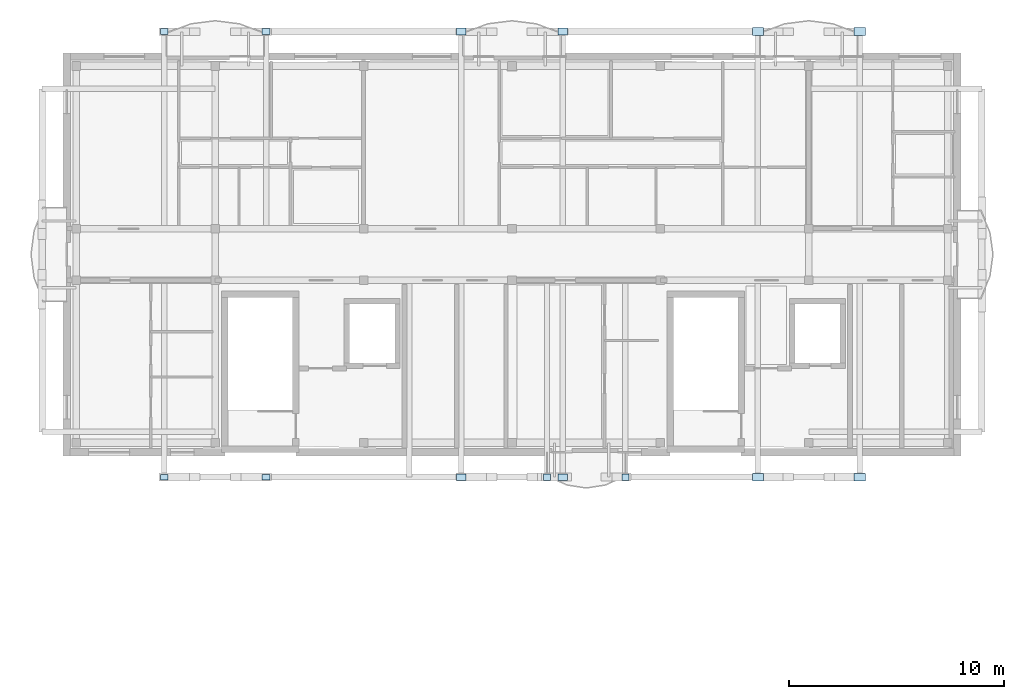
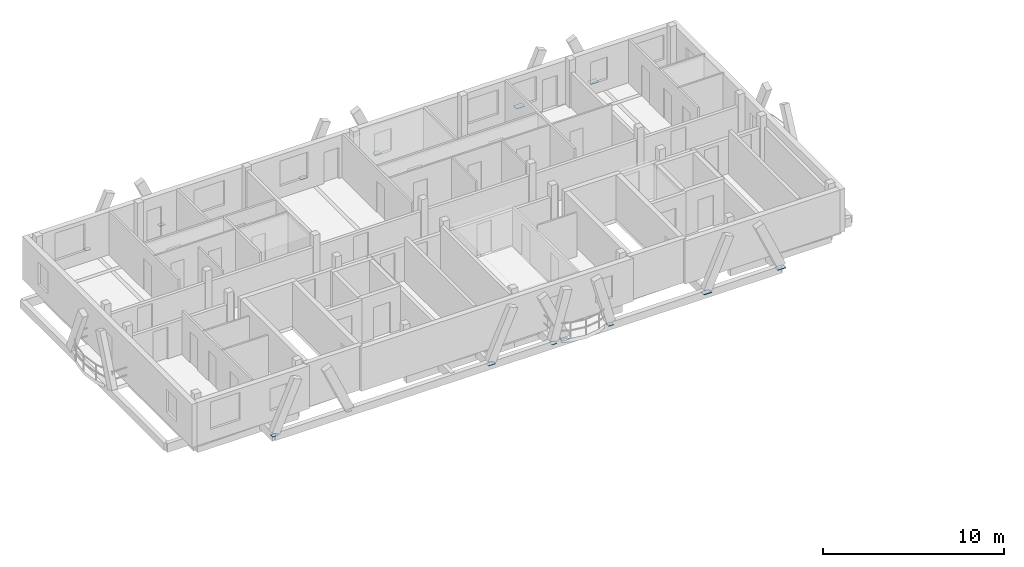
# One storey, part 5 of 18: 14 plates.
"""IFC4 building model written with IfcOpenShell, lengths in metres."""

from ifc_helpers import new_model, si_unit, direction, frame, origin, origin_2d, place, context, subcontext, project, spatial, rectangle, extrude, material, layer, layer_set, type_object, element, save


model = new_model("IFC4")

# Units and contexts
model_context = context("Model", 3, precision=1e-05, world=origin(), true_north=direction((0.0, 1.0)))
body_context = subcontext(model_context, "Body", "Model", "MODEL_VIEW")
ifc_project = project(units=[si_unit("LENGTHUNIT", "METRE"), si_unit("AREAUNIT", "SQUARE_METRE"), si_unit("VOLUMEUNIT", "CUBIC_METRE"), si_unit("PLANEANGLEUNIT", "RADIAN"), si_unit("MASSUNIT", "GRAM", prefix="KILO")], contexts=[model_context])

# Site, building, storey
site_placement = place(None, origin())
site = spatial("IfcSite", under=ifc_project, at=site_placement, CompositionType="ELEMENT")
building_placement = place(site_placement, origin())
building = spatial("IfcBuilding", under=site, at=building_placement, Name="Zavelmont Quarter", CompositionType="ELEMENT")
storey_placement = place(building_placement, frame((0.0, 0.0, 40.0)))
storey = spatial("IfcBuildingStorey", under=building, at=storey_placement, Name="L12", CompositionType="ELEMENT", Elevation=40.0)

# Plates
ifc_material = material(Name="Steel S355", Category="steel")
ifc_layer_1 = layer(ifc_material, 0.02392578125)
ifc_layer_set_1 = layer_set([ifc_layer_1], Name="Steel S355")
plate_type_1 = type_object("IfcPlateType", Name="NP02", PredefinedType="SHEET", material=ifc_layer_set_1)
for number, where, z_axis, x_axis, name in (
    (1, (4.53369140625, 117.162109375, -0.2119140625), (0.0, 0.0, 1.0), (1.0, 0.0, 0.0), "L12 steel connection plate NP02 at 2/S"),
    (2, (9.266357421875, 117.162109375, -0.2119140625), (0.0, 0.0, 1.0), (1.0, 0.0, 0.0), "L12 steel connection plate NP02 at 2/S"),
    (3, (4.53369140625, 96.43798828125, -0.2119140625), (0.0, 0.0, 1.0), (1.0, 0.0, 0.0), "L12 steel connection plate NP02 at 2/P"),
    (4, (9.266357421875, 96.43798828125, -0.2119140625), (0.0, 0.0, 1.0), (1.0, 0.0, 0.0), "L12 steel connection plate NP02 at 2/P"),
):
    element("IfcPlate", number, at=place(storey_placement, frame(where, z_axis=z_axis, x_axis=x_axis)), inside=storey, type_object=plate_type_1, Name=name, PredefinedType="SHEET", context=body_context, shape_type="SweptSolid", body=[
        extrude(rectangle(XDim=0.360107421875, YDim=0.260009765625, at=origin_2d()), origin(), (0.0, 0.0, 1.0), 0.02392578125),
    ])
ifc_layer_2 = layer(ifc_material, 0.02490234375)
ifc_layer_set_2 = layer_set([ifc_layer_2], Name="Steel S355")
plate_type_2 = type_object("IfcPlateType", Name="NP03", PredefinedType="SHEET", material=ifc_layer_set_2)
for number, where, z_axis, x_axis, name in (
    (5, (18.33349609375, 117.162109375, -0.21240234375), (0.0, 0.0, 1.0), (1.0, 0.0, 0.0), "L12 steel connection plate NP03 at 4/S"),
    (6, (23.06640625, 117.162109375, -0.21240234375), (0.0, 0.0, 1.0), (1.0, 0.0, 0.0), "L12 steel connection plate NP03 at 4/S"),
    (7, (18.33349609375, 96.43798828125, -0.21240234375), (0.0, 0.0, 1.0), (1.0, 0.0, 0.0), "L12 steel connection plate NP03 at 4/P"),
    (8, (23.06640625, 96.43798828125, -0.21240234375), (0.0, 0.0, 1.0), (1.0, 0.0, 0.0), "L12 steel connection plate NP03 at 4/P"),
):
    element("IfcPlate", number, at=place(storey_placement, frame(where, z_axis=z_axis, x_axis=x_axis)), inside=storey, type_object=plate_type_2, Name=name, PredefinedType="SHEET", context=body_context, shape_type="SweptSolid", body=[
        extrude(rectangle(XDim=0.43994140625, YDim=0.320068359375, at=origin_2d()), origin(), (0.0, 0.0, 1.0), 0.02490234375),
    ])
ifc_layer_3 = layer(ifc_material, 0.028076171875)
ifc_layer_set_3 = layer_set([ifc_layer_3], Name="Steel S355")
plate_type_3 = type_object("IfcPlateType", Name="NP04", PredefinedType="SHEET", material=ifc_layer_set_3)
for number, where, z_axis, x_axis, name in (
    (9, (32.133544921875, 117.162109375, -0.2138671875), (0.0, 0.0, 1.0), (1.0, 0.0, 0.0), "L12 steel connection plate NP04 at 6/S"),
    (10, (36.866455078125, 117.162109375, -0.2138671875), (0.0, 0.0, 1.0), (1.0, 0.0, 0.0), "L12 steel connection plate NP04 at 6/S"),
    (11, (32.133544921875, 96.43798828125, -0.2138671875), (0.0, 0.0, 1.0), (1.0, 0.0, 0.0), "L12 steel connection plate NP04 at 6/P"),
    (12, (36.866455078125, 96.43798828125, -0.2138671875), (0.0, 0.0, 1.0), (1.0, 0.0, 0.0), "L12 steel connection plate NP04 at 6/P"),
):
    element("IfcPlate", number, at=place(storey_placement, frame(where, z_axis=z_axis, x_axis=x_axis)), inside=storey, type_object=plate_type_3, Name=name, PredefinedType="SHEET", context=body_context, shape_type="SweptSolid", body=[
        extrude(rectangle(XDim=0.52001953125, YDim=0.360107421875, at=origin_2d()), origin(), (0.0, 0.0, 1.0), 0.028076171875),
    ])
ifc_layer_4 = layer(ifc_material, 0.02197265625)
ifc_layer_set_4 = layer_set([ifc_layer_4], Name="Steel S355")
plate_type_4 = type_object("IfcPlateType", Name="NP06", PredefinedType="SHEET", material=ifc_layer_set_4)
for number, where, z_axis, x_axis, name in (
    (13, (22.328369140625, 96.43798828125, -0.2109375), (0.0, 0.0, 1.0), (1.0, 0.0, 0.0), "L12 steel connection plate NP06 at 4/P"),
    (14, (25.9716796875, 96.43798828125, -0.2109375), (0.0, 0.0, 1.0), (1.0, 0.0, 0.0), "L12 steel connection plate NP06 at 5/P"),
):
    element("IfcPlate", number, at=place(storey_placement, frame(where, z_axis=z_axis, x_axis=x_axis)), inside=storey, type_object=plate_type_4, Name=name, PredefinedType="SHEET", context=body_context, shape_type="SweptSolid", body=[
        extrude(rectangle(XDim=0.320068359375, YDim=0.320068359375, at=origin_2d()), origin(), (0.0, 0.0, 1.0), 0.02197265625),
    ])

save(model, "model.ifc")
